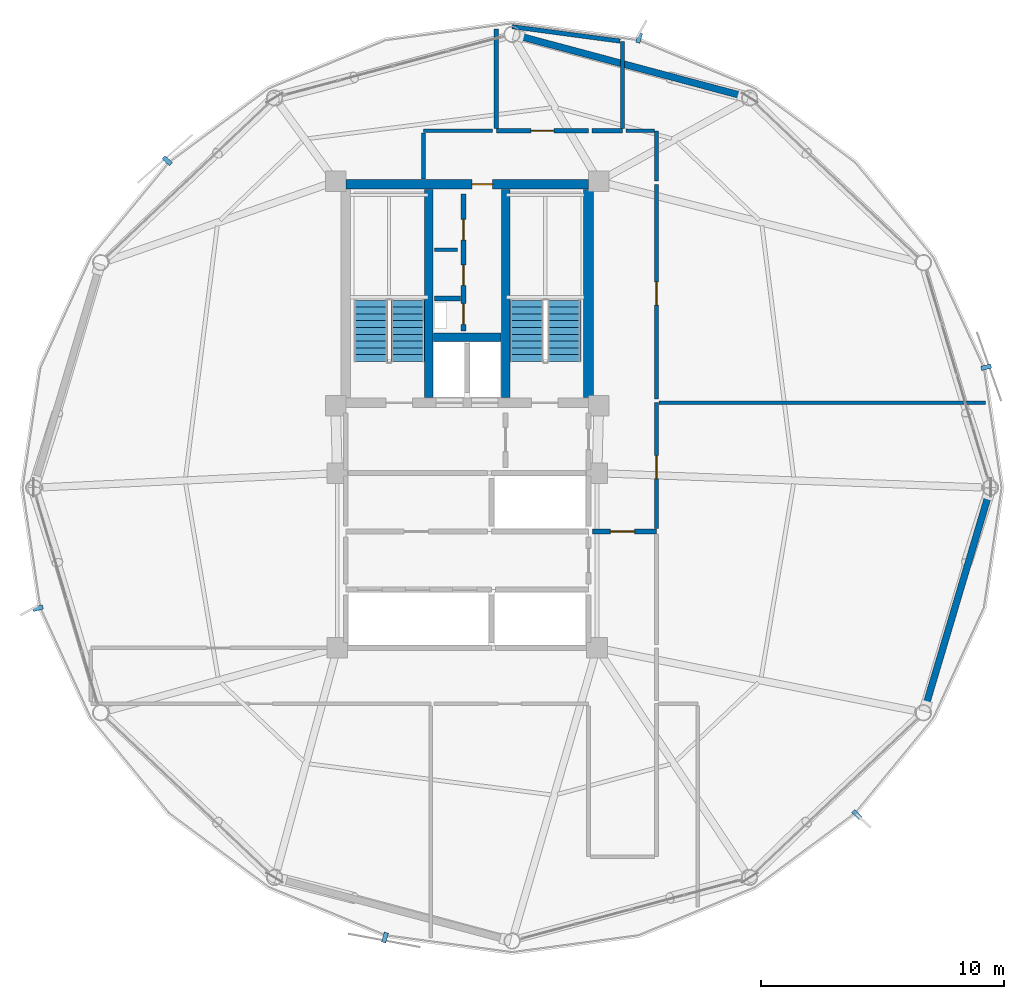
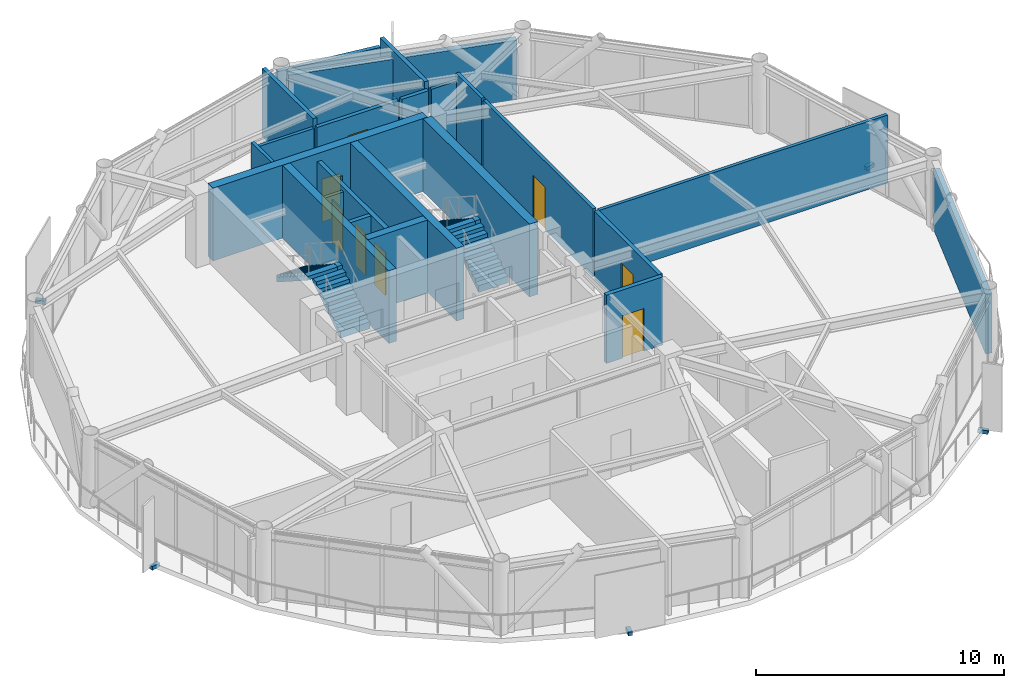
# One storey, part 25 of 29: 23 walls, 8 doors, 6 discrete accessories, 4 stair flights, 8 openings, 2 elements without a shape of their own.
"""IFC4 building model written with IfcOpenShell, lengths in metres."""

import ifcopenshell
import ifcopenshell.guid

model = None  # the IFC model being written
_history = None  # IfcOwnerHistory: only IFC2X3 demands one
_inside = {}  # id of a spatial element -> (the spatial element, [elements in it])
_under = {}  # id of a project, library or spatial element -> (it, [spatial elements below it])
_declared = {}  # id of a project -> (the project, [libraries it declares])
_typed = {}  # id of a type object -> (the type object, [elements of that type])
_made_of = {}  # id of a material, layer set ... -> (it, [elements and type objects made of it])


def new_model(schema):
    """Start an empty IFC model of exactly this schema.

    Asked for "IFC4X3", IfcOpenShell would pick the latest addendum, in which some entities
    have other attributes; the version numbers below select the first issue.
    IFC2X3 requires an IfcOwnerHistory on every rooted entity: one is made here for all.
    """
    global model, _history
    if schema == "IFC4X3":
        model = ifcopenshell.file(schema_version=(4, 3, 0, 0))
    else:
        model = ifcopenshell.file(schema=schema)
    _inside.clear()
    _under.clear()
    _declared.clear()
    _typed.clear()
    _made_of.clear()
    _history = None
    if model.schema == "IFC2X3":
        org = make("IfcOrganization", Name="unknown")
        user = make(
            "IfcPersonAndOrganization",
            ThePerson=make("IfcPerson", FamilyName="unknown"),
            TheOrganization=org,
        )
        app = make(
            "IfcApplication",
            ApplicationDeveloper=org,
            Version="unknown",
            ApplicationFullName="unknown",
            ApplicationIdentifier="unknown",
        )
        _history = make(
            "IfcOwnerHistory",
            OwningUser=user,
            OwningApplication=app,
            ChangeAction="ADDED",
            CreationDate=0,
        )
    return model


def make(cls, **values):
    """One entity of the class cls with the attributes given. An attribute that is None is left unset."""
    return model.create_entity(
        cls, **{name: value for name, value in values.items() if value is not None}
    )


def rooted(cls, **values):
    """An entity with a GlobalId (a new one), such as an element, a storey or a relation."""
    return make(cls, GlobalId=ifcopenshell.guid.new(), OwnerHistory=_history, **values)


def si_unit(unit_type, name, prefix=None):
    """IfcSIUnit, for example si_unit("LENGTHUNIT", "METRE", prefix="MILLI")."""
    return make("IfcSIUnit", UnitType=unit_type, Prefix=prefix, Name=name)


def assignment(units):
    """IfcUnitAssignment: the units of a project."""
    return None if units is None else make("IfcUnitAssignment", Units=units)


def point(xyz):
    """IfcCartesianPoint."""
    return None if xyz is None else make("IfcCartesianPoint", Coordinates=xyz)


def direction(xyz):
    """IfcDirection."""
    return None if xyz is None else make("IfcDirection", DirectionRatios=xyz)


def frame(location, z_axis=None, x_axis=None):
    """IfcAxis2Placement3D, a coordinate frame: its origin and axes. An axis left out is left unset."""
    return make(
        "IfcAxis2Placement3D",
        Location=point(location),
        Axis=direction(z_axis),
        RefDirection=direction(x_axis),
    )


def frame_2d(location, x_axis=None):
    """IfcAxis2Placement2D, a coordinate frame in the plane: its origin and x axis."""
    return make(
        "IfcAxis2Placement2D", Location=point(location), RefDirection=direction(x_axis)
    )


def origin():
    """The frame at (0, 0, 0) with its axes left unset."""
    return frame((0.0, 0.0, 0.0))


def origin_2d():
    """The frame at (0, 0) in the plane with its x axis left unset."""
    return frame_2d((0.0, 0.0))


def place(relative_to, where):
    """IfcLocalPlacement: puts the frame where relative to a parent placement (None: the world)."""
    return make(
        "IfcLocalPlacement", PlacementRelTo=relative_to, RelativePlacement=where
    )


def context(
    kind, dimensions, precision=None, world=None, true_north=None, identifier=None
):
    """IfcGeometricRepresentationContext, for example the 3D "Model" context."""
    return make(
        "IfcGeometricRepresentationContext",
        ContextIdentifier=identifier,
        ContextType=kind,
        CoordinateSpaceDimension=dimensions,
        Precision=precision,
        WorldCoordinateSystem=world,
        TrueNorth=true_north,
    )


def subcontext(parent, identifier, kind, view, scale=None):
    """IfcGeometricRepresentationSubContext, for example "Body" below "Model"."""
    return make(
        "IfcGeometricRepresentationSubContext",
        ContextIdentifier=identifier,
        ContextType=kind,
        ParentContext=parent,
        TargetScale=scale,
        TargetView=view,
    )


def project(units=None, contexts=None):
    """IfcProject with its units and contexts."""
    return rooted(
        "IfcProject",
        Name="project",
        RepresentationContexts=contexts,
        UnitsInContext=assignment(units),
    )


def spatial(cls, under=None, at=None, **own):
    """A site, building, storey or space (cls), placed at a placement, below another one or the project."""
    s = rooted(cls, ObjectPlacement=at, **own)
    if under is not None:
        _under.setdefault(under.id(), (under, []))[1].append(s)
    return s


def polyline(points):
    """IfcPolyline through the points."""
    return make("IfcPolyline", Points=[point(p) for p in points])


def profile(cls, at=None, kind="AREA", **sizes):
    """A parametric profile (cls). Its sizes go by their IFC names, for example OverallWidth=200.0."""
    return make(cls, ProfileType=kind, Position=at, **sizes)


def rectangle(**sizes):
    """IfcRectangleProfileDef."""
    return profile("IfcRectangleProfileDef", **sizes)


def outline(outer, holes=None, kind="AREA"):
    """IfcArbitraryClosedProfileDef: a profile drawn as a closed curve; with holes, ...WithVoids."""
    if holes is None:
        return make("IfcArbitraryClosedProfileDef", ProfileType=kind, OuterCurve=outer)
    return make(
        "IfcArbitraryProfileDefWithVoids",
        ProfileType=kind,
        OuterCurve=outer,
        InnerCurves=holes,
    )


def extrude(swept, where, along, depth):
    """IfcExtrudedAreaSolid: the profile swept, set in the frame where, extruded along a direction by depth."""
    return make(
        "IfcExtrudedAreaSolid",
        SweptArea=swept,
        Position=where,
        ExtrudedDirection=direction(along),
        Depth=depth,
    )


def shape(context_of_items, identifier, shape_type, items):
    """IfcShapeRepresentation: the items that make up one representation, for example the "Body"."""
    return make(
        "IfcShapeRepresentation",
        ContextOfItems=context_of_items,
        RepresentationIdentifier=identifier,
        RepresentationType=shape_type,
        Items=items,
    )


def source(mapping_origin, context_of_items, identifier, shape_type, items):
    """IfcRepresentationMap: a shape defined once, which mapped items show again and again."""
    return make(
        "IfcRepresentationMap",
        MappingOrigin=mapping_origin,
        MappedRepresentation=shape(context_of_items, identifier, shape_type, items),
    )


def transform(
    local_origin,
    x_axis=None,
    y_axis=None,
    z_axis=None,
    scale=None,
    scale2=None,
    scale3=None,
    uniform=True,
):
    """IfcCartesianTransformationOperator3D, or its non-uniform kind. x_axis, y_axis, z_axis: its Axis1, 2, 3."""
    if uniform:
        return make(
            "IfcCartesianTransformationOperator3D",
            Axis1=direction(x_axis),
            Axis2=direction(y_axis),
            LocalOrigin=point(local_origin),
            Scale=scale,
            Axis3=direction(z_axis),
        )
    return make(
        "IfcCartesianTransformationOperator3DnonUniform",
        Axis1=direction(x_axis),
        Axis2=direction(y_axis),
        LocalOrigin=point(local_origin),
        Scale=scale,
        Axis3=direction(z_axis),
        Scale2=scale2,
        Scale3=scale3,
    )


def mapped(mapping_source, mapping_target):
    """IfcMappedItem: shows the shape of a source again, moved by a transform."""
    return make(
        "IfcMappedItem", MappingSource=mapping_source, MappingTarget=mapping_target
    )


def material(Name=None, Category=None):
    """IfcMaterial."""
    return make("IfcMaterial", Name=Name, Category=Category)


def layer(
    of_material, thickness, ventilated=None, Name=None, Category=None, Priority=None
):
    """IfcMaterialLayer: one layer of a wall or slab, of a material (None: an air gap)."""
    return make(
        "IfcMaterialLayer",
        Material=of_material,
        LayerThickness=thickness,
        IsVentilated=ventilated,
        Name=Name,
        Category=Category,
        Priority=Priority,
    )


def layer_set(layers, Name=None):
    """IfcMaterialLayerSet."""
    return make("IfcMaterialLayerSet", MaterialLayers=layers, LayerSetName=Name)


def made_of(thing, what):
    """Note that an element or type object is made of a material, layer set ...; save() writes the relation."""
    if what is not None:
        _made_of.setdefault(what.id(), (what, []))[1].append(thing)
    return thing


def type_object(cls, material=None, **own):
    """A type object (cls), such as IfcWallType, which elements share."""
    return made_of(rooted(cls, **own), material)


def type_shapes(of_type, sources):
    """Give a type object the sources (RepresentationMaps) that its elements show as mapped items."""
    of_type.RepresentationMaps = sources


def element(
    cls,
    number,
    at=None,
    inside=None,
    cuts=None,
    type_object=None,
    material=None,
    context=None,
    identifier="Body",
    shape_type=None,
    held_by="IfcProductDefinitionShape",
    body=None,
    shapes=None,
    **own,
):
    """One element of the class cls, such as IfcWall. Its Tag is "e" and its number.

    at: its placement. inside: the storey or other place that contains it. cuts: it is an
    opening in that element (IfcRelVoidsElement). A single representation is given by context,
    identifier, shape_type and body (its items); several are given by shapes. held_by: the class
    of the entity that holds the representations. save() writes the other relations.
    """
    e = rooted(cls, Tag="e%d" % number, ObjectPlacement=at, **own)
    if body is not None:
        shapes = [shape(context, identifier, shape_type, body)]
    if shapes is not None:
        e.Representation = make(held_by, Representations=shapes)
    if inside is not None:
        _inside.setdefault(inside.id(), (inside, []))[1].append(e)
    if cuts is not None:
        rooted(
            "IfcRelVoidsElement", RelatingBuildingElement=cuts, RelatedOpeningElement=e
        )
    if type_object is not None:
        _typed.setdefault(type_object.id(), (type_object, []))[1].append(e)
    return made_of(e, material)


def fill(opening, filler):
    """IfcRelFillsElement: the door or window that sits in an opening."""
    return rooted(
        "IfcRelFillsElement",
        RelatingOpeningElement=opening,
        RelatedBuildingElement=filler,
    )


def aggregate(whole, parts):
    """IfcRelAggregates: a whole, such as a stair, and the parts it consists of."""
    return rooted("IfcRelAggregates", RelatingObject=whole, RelatedObjects=parts)


def save(model, path):
    """Write the relations noted so far, then the file.

    IfcRelAggregates (storeys below a building ...), IfcRelContainedInSpatialStructure (elements
    in a storey), IfcRelDefinesByType, IfcRelAssociatesMaterial and IfcRelDeclares: one each for
    every whole, place, type object, material and project.
    """
    for whole, parts in _under.values():
        aggregate(whole, parts)
    for where, things in _inside.values():
        rooted(
            "IfcRelContainedInSpatialStructure",
            RelatedElements=things,
            RelatingStructure=where,
        )
    for kind, things in _typed.values():
        rooted("IfcRelDefinesByType", RelatedObjects=things, RelatingType=kind)
    for what, things in _made_of.values():
        rooted("IfcRelAssociatesMaterial", RelatedObjects=things, RelatingMaterial=what)
    for by, libraries in _declared.values():
        rooted("IfcRelDeclares", RelatingContext=by, RelatedDefinitions=libraries)
    model.write(path)


model = new_model("IFC4")

# Units and contexts
model_context = context("Model", 3, precision=1e-05, world=origin(), true_north=direction((0.0, 1.0)))
body_context = subcontext(model_context, "Body", "Model", "MODEL_VIEW")
ifc_project = project(units=[si_unit("LENGTHUNIT", "METRE"), si_unit("AREAUNIT", "SQUARE_METRE"), si_unit("VOLUMEUNIT", "CUBIC_METRE"), si_unit("PLANEANGLEUNIT", "RADIAN"), si_unit("MASSUNIT", "GRAM", prefix="KILO")], contexts=[model_context])

# Site, building, storey
site_placement = place(None, origin())
site = spatial("IfcSite", under=ifc_project, at=site_placement, CompositionType="ELEMENT")
building_placement = place(site_placement, origin())
building = spatial("IfcBuilding", under=site, at=building_placement, Name="Varnakorn Sky Granary", CompositionType="ELEMENT")
storey_placement = place(building_placement, frame((0.0, 0.0, 182.39990234375)))
storey = spatial("IfcBuildingStorey", under=building, at=storey_placement, Name="L45", CompositionType="ELEMENT", Elevation=182.39990234375)

# Walls
ifc_material_1 = material(Name="Concrete C50/60", Category="concrete")
ifc_layer_1 = layer(ifc_material_1, 0.35009765625, Name="Concrete C50/60")
ifc_layer_set_1 = layer_set([ifc_layer_1], Name="Concrete C50/60")
wall_type_1 = type_object("IfcWallType", Name="WT-CW-INT-350", PredefinedType="SHEAR", material=ifc_layer_set_1)
for number, where, z_axis, x_axis, name in (
    (1, (1.419921875, 3.7099609375, 0.0), (0.0, 0.0, 1.0), (0.0, 1.0, 0.0), "Stair ST-1 Core Wall L45"),
    (2, (4.580078125, 3.7099609375, 0.0), (0.0, 0.0, 1.0), (0.0, 1.0, 0.0), "Stair ST-2 Core Wall L45"),
):
    element("IfcWall", number, at=place(storey_placement, frame(where, z_axis=z_axis, x_axis=x_axis)), inside=storey, type_object=wall_type_1, Name=name, PredefinedType="SHEAR", context=body_context, shape_type="SweptSolid", body=[
        extrude(rectangle(XDim=8.580078125, YDim=0.35009765625, at=frame_2d((4.2900390625, 0.0))), origin(), (0.0, 0.0, 1.0), 3.592041015625),
    ])
wall_1_placement = place(storey_placement, frame((1.610107421875, 6.199951171875, 0.0), z_axis=(0.0, 0.0, 1.0), x_axis=(1.0, 0.0, 0.0)))
element("IfcWall", 3, at=wall_1_placement, inside=storey, type_object=wall_type_1, Name="Core Lift Shaft Cross Wall L45", PredefinedType="SHEAR", context=body_context, shape_type="SweptSolid", body=[
    extrude(rectangle(XDim=2.77978515625, YDim=0.35009765625, at=frame_2d((1.389892578125, 0.0))), origin(), (0.0, 0.0, 1.0), 3.592041015625),
])

# Wall, opening, door
ifc_layer_2 = layer(ifc_material_1, 0.39990234375, Name="Concrete C50/60")
ifc_layer_set_2 = layer_set([ifc_layer_2], Name="Concrete C50/60")
wall_type_2 = type_object("IfcWallType", Name="WT-CW-SHEAR-400", PredefinedType="SHEAR", material=ifc_layer_set_2)
wall_2_placement = place(storey_placement, frame((-2.0, 12.5, 0.0), z_axis=(0.0, 0.0, 1.0), x_axis=(1.0, 0.0, 0.0)))
wall_2 = element("IfcWall", 4, at=wall_2_placement, inside=storey, type_object=wall_type_2, Name="Core North Shear Wall L45", PredefinedType="SHEAR", context=body_context, shape_type="SweptSolid", body=[
    extrude(rectangle(XDim=10.0, YDim=0.39990234375, at=frame_2d((5.0, 0.0))), origin(), (0.0, 0.0, 1.0), 3.592041015625),
])
opening_1_placement = place(wall_2_placement, frame((5.199951171875, 0.0, 0.0)))
opening_1 = element("IfcOpeningElement", 5, at=opening_1_placement, cuts=wall_2, Name="Opening FD-60N", PredefinedType="OPENING", context=body_context, shape_type="SweptSolid", body=[
    extrude(rectangle(XDim=0.85009765625, YDim=2.10009765625, at=frame_2d((0.425048828125, 1.050048828125))), frame((0.0, 0.2099609375, 0.0), z_axis=(0.0, -1.0, 0.0), x_axis=(1.0, 0.0, 0.0)), (0.0, 0.0, 1.0), 0.419921875),
])
ifc_material_2 = material(Name="Acoustic Timber Fire Leaf", Category="wood")
door_type_1 = type_object("IfcDoorType", Name="DR-FD60-850", OperationType="NOTDEFINED", PredefinedType="DOOR", material=ifc_material_2)
door_1_placement = place(opening_1_placement, origin())
door_1 = element("IfcDoor", 6, at=door_1_placement, inside=storey, type_object=door_type_1, Name="Core North Service Door L45", OperationType="SINGLE_SWING_LEFT", OverallHeight=2.10009765625, OverallWidth=0.85009765625, PredefinedType="DOOR", context=body_context, shape_type="SweptSolid", body=[
    extrude(rectangle(XDim=0.85009765625, YDim=2.10009765625, at=frame_2d((0.425048828125, 1.050048828125))), frame((0.0, 0.02490234375, 0.0), z_axis=(0.0, -1.0, 0.0), x_axis=(1.0, 0.0, 0.0)), (0.0, 0.0, 1.0), 0.050048828125),
])
fill(opening_1, door_1)

# Walls
wall_3_placement = place(storey_placement, frame((8.0, 3.7099609375, 0.0), z_axis=(0.0, 0.0, 1.0), x_axis=(0.0, 1.0, 0.0)))
element("IfcWall", 7, at=wall_3_placement, inside=storey, type_object=wall_type_2, Name="Core East Shear Wall L45", PredefinedType="SHEAR", context=body_context, shape_type="SweptSolid", body=[
    extrude(rectangle(XDim=8.580078125, YDim=0.39990234375, at=frame_2d((4.2900390625, 0.0))), origin(), (0.0, 0.0, 1.0), 3.592041015625),
])
ifc_material_3 = material(Name="Precast concrete C40/50", Category="concrete")
ifc_layer_3 = layer(ifc_material_3, 0.280029296875, Name="Precast concrete C40/50")
ifc_layer_set_3 = layer_set([ifc_layer_3], Name="Precast concrete C40/50")
wall_type_3 = type_object("IfcWallType", Name="WT-EW-CRN-280", PredefinedType="SOLIDWALL", material=ifc_layer_set_3)
wall_4_placement = place(storey_placement, frame((5.125244140625, 18.6083984375, 0.0), z_axis=(0.0, 0.0, 1.0), x_axis=(0.966012158322, -0.258496634359, 0.0)))
element("IfcWall", 8, at=wall_4_placement, inside=storey, type_object=wall_type_3, Name="Agritech Insulated Precast Facade Wall L45-P03", PredefinedType="SOLIDWALL", context=body_context, shape_type="SweptSolid", body=[
    extrude(rectangle(XDim=9.564697265625, YDim=0.280029296875, at=frame_2d((4.7822265625, 0.0))), origin(), (0.0, 0.0, 1.0), 2.93017578125),
])
wall_5_placement = place(storey_placement, frame((24.48388671875, -0.273193359375, 0.0), z_axis=(0.0, 0.0, 1.0), x_axis=(-0.285113422952, -0.958493785088, 0.0)))
element("IfcWall", 9, at=wall_5_placement, inside=storey, type_object=wall_type_3, Name="Agritech Insulated Precast Facade Wall L45-P12", PredefinedType="SOLIDWALL", context=body_context, shape_type="SweptSolid", body=[
    extrude(rectangle(XDim=9.10498046875, YDim=0.280029296875, at=frame_2d((4.552490234375, 0.0))), origin(), (0.0, 0.0, 1.0), 2.93017578125),
])

# Wall, openings, doors
ifc_material_4 = material(Name="Autoclaved Aerated Concrete Blockwork", Category="masonry")
ifc_layer_4 = layer(ifc_material_4, 0.199951171875, Name="Autoclaved Aerated Concrete Blockwork")
ifc_layer_set_4 = layer_set([ifc_layer_4], Name="Autoclaved Aerated Concrete Blockwork")
wall_type_4 = type_object("IfcWallType", Name="WT-FIRE-200", PredefinedType="MOVABLE", material=ifc_layer_set_4)
wall_6_placement = place(storey_placement, frame((2.85009765625, 6.449951171875, 0.0), z_axis=(0.0, 0.0, 1.0), x_axis=(0.0, 1.0, 0.0)))
wall_6 = element("IfcWall", 10, at=wall_6_placement, inside=storey, type_object=wall_type_4, Name="Interior Partition Wall L45-014", PredefinedType="MOVABLE", context=body_context, shape_type="SweptSolid", body=[
    extrude(rectangle(XDim=5.650146484375, YDim=0.199951171875, at=frame_2d((2.8251953125, 0.0))), origin(), (0.0, 0.0, 1.0), 3.360107421875),
])
opening_2_placement = place(wall_6_placement, frame((1.8798828125, 0.0, 0.0)))
opening_2 = element("IfcOpeningElement", 11, at=opening_2_placement, cuts=wall_6, Name="Opening RD-85", PredefinedType="OPENING", context=body_context, shape_type="SweptSolid", body=[
    extrude(rectangle(XDim=0.85009765625, YDim=2.050048828125, at=frame_2d((0.425048828125, 1.02490234375))), frame((0.0, 0.10986328125, 0.0), z_axis=(0.0, -1.0, 0.0), x_axis=(1.0, 0.0, 0.0)), (0.0, 0.0, 1.0), 0.219970703125),
])
opening_3_placement = place(wall_6_placement, frame((3.75, 0.0, 0.0)))
opening_3 = element("IfcOpeningElement", 12, at=opening_3_placement, cuts=wall_6, Name="Opening FD-60N", PredefinedType="OPENING", context=body_context, shape_type="SweptSolid", body=[
    extrude(rectangle(XDim=0.85009765625, YDim=2.10009765625, at=frame_2d((0.425048828125, 1.050048828125))), frame((0.0, 0.10986328125, 0.0), z_axis=(0.0, -1.0, 0.0), x_axis=(1.0, 0.0, 0.0)), (0.0, 0.0, 1.0), 0.219970703125),
])
opening_4_placement = place(wall_6_placement, frame((0.280029296875, 0.0, 0.0)))
opening_4 = element("IfcOpeningElement", 13, at=opening_4_placement, cuts=wall_6, Name="Opening FD-60N", PredefinedType="OPENING", context=body_context, shape_type="SweptSolid", body=[
    extrude(rectangle(XDim=0.85009765625, YDim=2.10009765625, at=frame_2d((0.425048828125, 1.050048828125))), frame((0.0, 0.10986328125, 0.0), z_axis=(0.0, -1.0, 0.0), x_axis=(1.0, 0.0, 0.0)), (0.0, 0.0, 1.0), 0.219970703125),
])
door_2_placement = place(opening_3_placement, origin())
door_2 = element("IfcDoor", 14, at=door_2_placement, inside=storey, type_object=door_type_1, Name="Interior Door L45-014-2", OperationType="SINGLE_SWING_LEFT", OverallHeight=2.10009765625, OverallWidth=0.85009765625, PredefinedType="DOOR", context=body_context, shape_type="SweptSolid", body=[
    extrude(rectangle(XDim=0.85009765625, YDim=2.10009765625, at=frame_2d((0.425048828125, 1.050048828125))), frame((0.0, 0.02490234375, 0.0), z_axis=(0.0, -1.0, 0.0), x_axis=(1.0, 0.0, 0.0)), (0.0, 0.0, 1.0), 0.050048828125),
])
fill(opening_3, door_2)
door_3_placement = place(opening_4_placement, origin())
door_3 = element("IfcDoor", 15, at=door_3_placement, inside=storey, type_object=door_type_1, Name="Interior Door L45-014-3", OperationType="SINGLE_SWING_RIGHT", OverallHeight=2.10009765625, OverallWidth=0.85009765625, PredefinedType="DOOR", context=body_context, shape_type="SweptSolid", body=[
    extrude(rectangle(XDim=0.85009765625, YDim=2.10009765625, at=frame_2d((0.425048828125, 1.050048828125))), frame((0.0, 0.02490234375, 0.0), z_axis=(0.0, -1.0, 0.0), x_axis=(1.0, 0.0, 0.0)), (0.0, 0.0, 1.0), 0.050048828125),
])
fill(opening_4, door_3)
ifc_material_5 = material(Name="Galvanised Painted Steel Leaf", Category="steel")
door_type_2 = type_object("IfcDoorType", Name="DR-RIS-850", OperationType="NOTDEFINED", PredefinedType="DOOR", material=ifc_material_5)
door_4_placement = place(opening_2_placement, origin())
door_4 = element("IfcDoor", 16, at=door_4_placement, inside=storey, type_object=door_type_2, Name="MEP Riser Shaft Access Door L45-014-1", OperationType="SINGLE_SWING_RIGHT", OverallHeight=2.050048828125, OverallWidth=0.85009765625, PredefinedType="DOOR", context=body_context, shape_type="SweptSolid", body=[
    extrude(rectangle(XDim=0.85009765625, YDim=2.050048828125, at=frame_2d((0.425048828125, 1.02490234375))), frame((0.0, 0.02490234375, 0.0), z_axis=(0.0, -1.0, 0.0), x_axis=(1.0, 0.0, 0.0)), (0.0, 0.0, 1.0), 0.050048828125),
])
fill(opening_2, door_4)

# Wall, opening, door
wall_7_placement = place(storey_placement, frame((8.159912109375, -1.800048828125, 0.0), z_axis=(0.0, 0.0, 1.0), x_axis=(1.0, 0.0, 0.0)))
wall_7 = element("IfcWall", 17, at=wall_7_placement, inside=storey, type_object=wall_type_4, Name="Interior Partition Wall L45-019", PredefinedType="MOVABLE", context=body_context, shape_type="SweptSolid", body=[
    extrude(rectangle(XDim=2.64013671875, YDim=0.199951171875, at=frame_2d((1.320068359375, 0.0))), origin(), (0.0, 0.0, 1.0), 3.360107421875),
])
opening_5_placement = place(wall_7_placement, frame((0.739990234375, 0.0, 0.0)))
opening_5 = element("IfcOpeningElement", 18, at=opening_5_placement, cuts=wall_7, Name="Opening FD-60", PredefinedType="OPENING", context=body_context, shape_type="SweptSolid", body=[
    extrude(rectangle(XDim=1.0, YDim=2.10009765625, at=frame_2d((0.5, 1.050048828125))), frame((0.0, 0.10986328125, 0.0), z_axis=(0.0, -1.0, 0.0), x_axis=(1.0, 0.0, 0.0)), (0.0, 0.0, 1.0), 0.219970703125),
])
door_type_3 = type_object("IfcDoorType", Name="DR-FD60-1000", OperationType="NOTDEFINED", PredefinedType="DOOR", material=ifc_material_2)
door_5_placement = place(opening_5_placement, origin())
door_5 = element("IfcDoor", 19, at=door_5_placement, inside=storey, type_object=door_type_3, Name="Interior Door L45-019-1", OperationType="SINGLE_SWING_LEFT", OverallHeight=2.10009765625, OverallWidth=1.0, PredefinedType="DOOR", context=body_context, shape_type="SweptSolid", body=[
    extrude(rectangle(XDim=1.0, YDim=2.10009765625, at=frame_2d((0.5, 1.050048828125))), frame((0.0, 0.02490234375, 0.0), z_axis=(0.0, -1.0, 0.0), x_axis=(1.0, 0.0, 0.0)), (0.0, 0.0, 1.0), 0.050048828125),
])
fill(opening_5, door_5)

ifc_material_6 = material(Name="Gypsum Plasterboard on Steel Stud", Category="steel")
ifc_layer_5 = layer(ifc_material_6, 0.14990234375, Name="Gypsum Plasterboard on Steel Stud")
ifc_layer_set_5 = layer_set([ifc_layer_5], Name="Gypsum Plasterboard on Steel Stud")
wall_type_5 = type_object("IfcWallType", Name="WT-PART-150", PredefinedType="PARTITIONING", material=ifc_layer_set_5)
wall_8_placement = place(storey_placement, frame((10.800048828125, 3.64990234375, 0.0), z_axis=(0.0, 0.0, 1.0), x_axis=(0.0, 1.0, 0.0)))
wall_8 = element("IfcWall", 20, at=wall_8_placement, inside=storey, type_object=wall_type_5, Name="Interior Partition Wall L45-025", PredefinedType="PARTITIONING", context=body_context, shape_type="SweptSolid", body=[
    extrude(rectangle(XDim=8.85009765625, YDim=0.14990234375, at=frame_2d((4.425048828125, 0.0))), origin(), (0.0, 0.0, 1.0), 3.360107421875),
])
opening_6_placement = place(wall_8_placement, frame((3.875, 0.0, 0.0)))
opening_6 = element("IfcOpeningElement", 21, at=opening_6_placement, cuts=wall_8, Name="Opening ID-95", PredefinedType="OPENING", context=body_context, shape_type="SweptSolid", body=[
    extrude(rectangle(XDim=0.949951171875, YDim=2.10009765625, at=frame_2d((0.47509765625, 1.050048828125))), frame((0.0, 0.0849609375, 0.0), z_axis=(0.0, -1.0, 0.0), x_axis=(1.0, 0.0, 0.0)), (0.0, 0.0, 1.0), 0.169921875),
])
ifc_material_7 = material(Name="Solid-Core Teak Veneer Leaf", Category="timber")
door_type_4 = type_object("IfcDoorType", Name="DR-INT-950", OperationType="NOTDEFINED", PredefinedType="DOOR", material=ifc_material_7)
door_6_placement = place(opening_6_placement, origin())
door_6 = element("IfcDoor", 22, at=door_6_placement, inside=storey, type_object=door_type_4, Name="Interior Door L45-025-1", OperationType="SINGLE_SWING_LEFT", OverallHeight=2.10009765625, OverallWidth=0.949951171875, PredefinedType="DOOR", context=body_context, shape_type="SweptSolid", body=[
    extrude(rectangle(XDim=0.949951171875, YDim=2.10009765625, at=frame_2d((0.47509765625, 1.050048828125))), frame((0.0, 0.02490234375, 0.0), z_axis=(0.0, -1.0, 0.0), x_axis=(1.0, 0.0, 0.0)), (0.0, 0.0, 1.0), 0.050048828125),
])
fill(opening_6, door_6)

# Walls
wall_9_placement = place(storey_placement, frame((1.64990234375, 9.800048828125, 0.0), z_axis=(0.0, 0.0, 1.0), x_axis=(1.0, 0.0, 0.0)))
element("IfcWall", 23, at=wall_9_placement, inside=storey, type_object=wall_type_5, Name="Interior Partition Wall L45-026", PredefinedType="PARTITIONING", context=body_context, shape_type="SweptSolid", body=[
    extrude(rectangle(XDim=0.960205078125, YDim=0.14990234375, at=frame_2d((0.47998046875, 0.0))), origin(), (0.0, 0.0, 1.0), 3.360107421875),
])
wall_10_placement = place(storey_placement, frame((4.050048828125, 14.699951171875, 0.0), z_axis=(0.0, 0.0, 1.0), x_axis=(-1.0, 0.0, 0.0)))
element("IfcWall", 24, at=wall_10_placement, inside=storey, type_object=wall_type_5, Name="Interior Partition Wall L45-039", PredefinedType="PARTITIONING", context=body_context, shape_type="SweptSolid", body=[
    extrude(rectangle(XDim=2.85009765625, YDim=0.14990234375, at=frame_2d((1.425048828125, 0.0))), origin(), (0.0, 0.0, 1.0), 3.01220703125),
])
wall_11_placement = place(storey_placement, frame((1.199951171875, 14.614990234375, 0.0), z_axis=(0.0, 0.0, 1.0), x_axis=(0.0, -1.0, 0.0)))
element("IfcWall", 25, at=wall_11_placement, inside=storey, type_object=wall_type_5, Name="Interior Partition Wall L45-040", PredefinedType="PARTITIONING", context=body_context, shape_type="SweptSolid", body=[
    extrude(rectangle(XDim=1.905029296875, YDim=0.14990234375, at=frame_2d((0.95263671875, 0.0))), origin(), (0.0, 0.0, 1.0), 3.360107421875),
])
wall_12_placement = place(storey_placement, frame((10.89990234375, 3.5, 0.0), z_axis=(0.0, 0.0, 1.0), x_axis=(1.0, 0.0, 0.0)))
element("IfcWall", 26, at=wall_12_placement, inside=storey, type_object=wall_type_5, Name="Interior Partition Wall L45-044", PredefinedType="PARTITIONING", context=body_context, shape_type="SweptSolid", body=[
    extrude(rectangle(XDim=13.45703125, YDim=0.14990234375, at=frame_2d((6.728515625, 0.0))), origin(), (0.0, 0.0, 1.0), 3.360107421875),
])
wall_13_placement = place(storey_placement, frame((10.800048828125, 12.635009765625, 0.0), z_axis=(0.0, 0.0, 1.0), x_axis=(0.0, 1.0, 0.0)))
element("IfcWall", 27, at=wall_13_placement, inside=storey, type_object=wall_type_5, Name="Interior Partition Wall L45-045", PredefinedType="PARTITIONING", context=body_context, shape_type="SweptSolid", body=[
    extrude(rectangle(XDim=2.06494140625, YDim=0.14990234375, at=frame_2d((1.032470703125, 0.0))), origin(), (0.0, 0.0, 1.0), 3.360107421875),
])
wall_14_placement = place(storey_placement, frame((10.715087890625, 14.699951171875, 0.0), z_axis=(0.0, 0.0, 1.0), x_axis=(-1.0, 0.0, 0.0)))
element("IfcWall", 28, at=wall_14_placement, inside=storey, type_object=wall_type_5, Name="Interior Partition Wall L45-046", PredefinedType="PARTITIONING", context=body_context, shape_type="SweptSolid", body=[
    extrude(rectangle(XDim=1.1650390625, YDim=0.14990234375, at=frame_2d((0.58251953125, 0.0))), origin(), (0.0, 0.0, 1.0), 3.01220703125),
])

# Wall, opening, door
ifc_material_8 = material(Name="Moisture-Resistant Gypsum on Stud", Category="gypsum")
ifc_layer_6 = layer(ifc_material_8, 0.179931640625, Name="Moisture-Resistant Gypsum on Stud")
ifc_layer_set_6 = layer_set([ifc_layer_6], Name="Moisture-Resistant Gypsum on Stud")
wall_type_6 = type_object("IfcWallType", Name="WT-PLUMB-180", PredefinedType="PLUMBINGWALL", material=ifc_layer_set_6)
wall_15_placement = place(storey_placement, frame((8.0, 14.699951171875, 0.0), z_axis=(0.0, 0.0, 1.0), x_axis=(-1.0, 0.0, 0.0)))
wall_15 = element("IfcWall", 29, at=wall_15_placement, inside=storey, type_object=wall_type_6, Name="Interior Partition Wall L45-020", PredefinedType="PLUMBINGWALL", context=body_context, shape_type="SweptSolid", body=[
    extrude(rectangle(XDim=3.800048828125, YDim=0.179931640625, at=frame_2d((1.89990234375, 0.0))), origin(), (0.0, 0.0, 1.0), 3.01220703125),
])
opening_7_placement = place(wall_15_placement, frame((1.425048828125, 0.0, 0.0)))
opening_7 = element("IfcOpeningElement", 30, at=opening_7_placement, cuts=wall_15, Name="Opening ID-95", PredefinedType="OPENING", context=body_context, shape_type="SweptSolid", body=[
    extrude(rectangle(XDim=0.949951171875, YDim=2.10009765625, at=frame_2d((0.47509765625, 1.050048828125))), frame((0.0, 0.10009765625, 0.0), z_axis=(0.0, -1.0, 0.0), x_axis=(1.0, 0.0, 0.0)), (0.0, 0.0, 1.0), 0.199951171875),
])
door_7_placement = place(opening_7_placement, origin())
door_7 = element("IfcDoor", 31, at=door_7_placement, inside=storey, type_object=door_type_4, Name="Interior Door L45-020-1", OperationType="SINGLE_SWING_RIGHT", OverallHeight=2.10009765625, OverallWidth=0.949951171875, PredefinedType="DOOR", context=body_context, shape_type="SweptSolid", body=[
    extrude(rectangle(XDim=0.949951171875, YDim=2.10009765625, at=frame_2d((0.47509765625, 1.050048828125))), frame((0.0, 0.02490234375, 0.0), z_axis=(0.0, -1.0, 0.0), x_axis=(1.0, 0.0, 0.0)), (0.0, 0.0, 1.0), 0.050048828125),
])
fill(opening_7, door_7)

wall_16_placement = place(storey_placement, frame((10.800048828125, -1.68994140625, 0.0), z_axis=(0.0, 0.0, 1.0), x_axis=(0.0, 1.0, 0.0)))
wall_16 = element("IfcWall", 32, at=wall_16_placement, inside=storey, type_object=wall_type_6, Name="Interior Partition Wall L45-024", PredefinedType="PLUMBINGWALL", context=body_context, shape_type="SweptSolid", body=[
    extrude(rectangle(XDim=5.18994140625, YDim=0.179931640625, at=frame_2d((2.594970703125, 0.0))), origin(), (0.0, 0.0, 1.0), 3.360107421875),
])
opening_8_placement = place(wall_16_placement, frame((2.06494140625, 0.0, 0.0)))
opening_8 = element("IfcOpeningElement", 33, at=opening_8_placement, cuts=wall_16, Name="Opening ID-95", PredefinedType="OPENING", context=body_context, shape_type="SweptSolid", body=[
    extrude(rectangle(XDim=0.949951171875, YDim=2.10009765625, at=frame_2d((0.47509765625, 1.050048828125))), frame((0.0, 0.10009765625, 0.0), z_axis=(0.0, -1.0, 0.0), x_axis=(1.0, 0.0, 0.0)), (0.0, 0.0, 1.0), 0.199951171875),
])
door_8_placement = place(opening_8_placement, origin())
door_8 = element("IfcDoor", 34, at=door_8_placement, inside=storey, type_object=door_type_4, Name="Interior Door L45-024-1", OperationType="SINGLE_SWING_RIGHT", OverallHeight=2.10009765625, OverallWidth=0.949951171875, PredefinedType="DOOR", context=body_context, shape_type="SweptSolid", body=[
    extrude(rectangle(XDim=0.949951171875, YDim=2.10009765625, at=frame_2d((0.47509765625, 1.050048828125))), frame((0.0, 0.02490234375, 0.0), z_axis=(0.0, -1.0, 0.0), x_axis=(1.0, 0.0, 0.0)), (0.0, 0.0, 1.0), 0.050048828125),
])
fill(opening_8, door_8)

# Walls
wall_17_placement = place(storey_placement, frame((9.39990234375, 14.699951171875, 0.0), z_axis=(0.0, 0.0, 1.0), x_axis=(-1.0, 0.0, 0.0)))
element("IfcWall", 35, at=wall_17_placement, inside=storey, type_object=wall_type_6, Name="Interior Partition Wall L45-031", PredefinedType="PLUMBINGWALL", context=body_context, shape_type="SweptSolid", body=[
    extrude(rectangle(XDim=1.25, YDim=0.179931640625, at=frame_2d((0.625, 0.0))), origin(), (0.0, 0.0, 1.0), 3.01220703125),
])
wall_18_placement = place(storey_placement, frame((4.199951171875, 18.905029296875, 0.0), z_axis=(0.0, 0.0, 1.0), x_axis=(0.0, -1.0, 0.0)))
element("IfcWall", 36, at=wall_18_placement, inside=storey, type_object=wall_type_6, Name="Interior Partition Wall L45-041", PredefinedType="PLUMBINGWALL", context=body_context, shape_type="SweptSolid", body=[
    extrude(rectangle(XDim=4.10498046875, YDim=0.179931640625, at=frame_2d((2.052490234375, 0.0))), origin(), (0.0, 0.0, 1.0), 3.360107421875),
])
wall_19_placement = place(storey_placement, frame((9.39990234375, 14.800048828125, 0.0), z_axis=(0.0, 0.0, 1.0), x_axis=(0.0, 1.0, 0.0)))
element("IfcWall", 37, at=wall_19_placement, inside=storey, type_object=wall_type_6, Name="Interior Partition Wall L45-047", PredefinedType="PLUMBINGWALL", context=body_context, shape_type="SweptSolid", body=[
    extrude(rectangle(XDim=3.583984375, YDim=0.179931640625, at=frame_2d((1.7919921875, 0.0))), origin(), (0.0, 0.0, 1.0), 3.360107421875),
])
wall_20_placement = place(storey_placement, frame((9.301025390625, 18.39697265625, 0.0), z_axis=(0.0, 0.0, 1.0), x_axis=(-0.991183686161, 0.132494906652, 0.0)))
element("IfcWall", 38, at=wall_20_placement, inside=storey, type_object=wall_type_6, Name="Interior Partition Wall L45-048", PredefinedType="PLUMBINGWALL", context=body_context, shape_type="SweptSolid", body=[
    extrude(rectangle(XDim=4.490478515625, YDim=0.179931640625, at=frame_2d((2.2451171875, 0.0))), origin(), (0.0, 0.0, 1.0), 2.942138671875),
])
ifc_layer_7 = layer(ifc_material_4, 0.199951171875, Name="Autoclaved Aerated Concrete Blockwork")
ifc_layer_set_7 = layer_set([ifc_layer_7], Name="Autoclaved Aerated Concrete Blockwork")
wall_type_7 = type_object("IfcWallType", Name="WT-SHAFT-200", PredefinedType="SOLIDWALL", material=ifc_layer_set_7)
wall_21_placement = place(storey_placement, frame((1.64990234375, 7.800048828125, 0.0), z_axis=(0.0, 0.0, 1.0), x_axis=(1.0, 0.0, 0.0)))
element("IfcWall", 39, at=wall_21_placement, inside=storey, type_object=wall_type_7, Name="Interior Partition Wall L45-002", PredefinedType="SOLIDWALL", context=body_context, shape_type="SweptSolid", body=[
    extrude(rectangle(XDim=1.070068359375, YDim=0.199951171875, at=frame_2d((0.53515625, 0.0))), origin(), (0.0, 0.0, 1.0), 3.360107421875),
])

# Stair, stair flights
ifc_material_9 = material(Name="Concrete C40/50", Category="concrete")
stair_type = type_object("IfcStairType", Name="ST-MAIN-ASSEMBLY", PredefinedType="HALF_TURN_STAIR", material=ifc_material_9)
stair_1_placement = place(storey_placement, origin())
stair_1 = element("IfcStair", 40, at=stair_1_placement, inside=storey, type_object=stair_type, Name="L45 Protected Exit Stair ST-1", PredefinedType="HALF_TURN_STAIR")
stair_flight_type = type_object("IfcStairFlightType", Name="ST-MAIN-FLIGHT", PredefinedType="STRAIGHT", material=ifc_material_9)
stair_flight_1_placement = place(storey_placement, frame((0.550048828125, 5.199951171875, 0.0), z_axis=(0.0, 0.0, 1.0), x_axis=(0.0, 1.0, 0.0)))
stair_flight_1 = element("IfcStairFlight", 41, at=stair_flight_1_placement, type_object=stair_flight_type, Name="ST-1 flight 1", NumberOfRisers=10, NumberOfTreads=9, PredefinedType="STRAIGHT", RiserHeight=0.18, TreadLength=0.28, context=body_context, shape_type="SweptSolid", body=[
    extrude(outline(polyline([(0.0, -0.14990234375), (0.0, 0.0), (0.0, 0.179931640625), (0.280029296875, 0.179931640625), (0.280029296875, 0.360107421875), (0.56005859375, 0.360107421875), (0.56005859375, 0.5400390625), (0.840087890625, 0.5400390625), (0.840087890625, 0.719970703125), (1.1201171875, 0.719970703125), (1.1201171875, 0.89990234375), (1.39990234375, 0.89990234375), (1.39990234375, 1.080078125), (1.679931640625, 1.080078125), (1.679931640625, 1.260009765625), (1.9599609375, 1.260009765625), (1.9599609375, 1.43994140625), (2.239990234375, 1.43994140625), (2.239990234375, 1.6201171875), (2.52001953125, 1.6201171875), (2.52001953125, 1.800048828125), (2.52001953125, 1.44189453125), (0.050048828125, -0.14990234375), (0.0, -0.14990234375)])), frame((0.0, 0.68994140625, 0.0), z_axis=(0.0, -1.0, 0.0), x_axis=(1.0, 0.0, 0.0)), (0.0, 0.0, 1.0), 1.3798828125),
])
stair_flight_2_placement = place(storey_placement, frame((-0.97998046875, 7.719970703125, 1.800048828125), z_axis=(0.0, 0.0, 1.0), x_axis=(0.0, -1.0, 0.0)))
stair_flight_2 = element("IfcStairFlight", 42, at=stair_flight_2_placement, type_object=stair_flight_type, Name="ST-1 flight 2", NumberOfRisers=10, NumberOfTreads=9, PredefinedType="STRAIGHT", RiserHeight=0.18, TreadLength=0.28, context=body_context, shape_type="SweptSolid", body=[
    extrude(outline(polyline([(0.0, -0.14990234375), (0.0, 0.0), (0.0, 0.179931640625), (0.280029296875, 0.179931640625), (0.280029296875, 0.360107421875), (0.56005859375, 0.360107421875), (0.56005859375, 0.5400390625), (0.840087890625, 0.5400390625), (0.840087890625, 0.719970703125), (1.1201171875, 0.719970703125), (1.1201171875, 0.89990234375), (1.39990234375, 0.89990234375), (1.39990234375, 1.080078125), (1.679931640625, 1.080078125), (1.679931640625, 1.260009765625), (1.9599609375, 1.260009765625), (1.9599609375, 1.43994140625), (2.239990234375, 1.43994140625), (2.239990234375, 1.6201171875), (2.52001953125, 1.6201171875), (2.52001953125, 1.800048828125), (2.52001953125, 1.44189453125), (0.050048828125, -0.14990234375), (0.0, -0.14990234375)])), frame((0.0, 0.68994140625, 0.0), z_axis=(0.0, -1.0, 0.0), x_axis=(1.0, 0.0, 0.0)), (0.0, 0.0, 1.0), 1.3798828125),
])
aggregate(stair_1, [stair_flight_1, stair_flight_2])

stair_2_placement = place(storey_placement, origin())
stair_2 = element("IfcStair", 43, at=stair_2_placement, inside=storey, type_object=stair_type, Name="L45 Protected Exit Stair ST-2", PredefinedType="HALF_TURN_STAIR")
stair_flight_3_placement = place(storey_placement, frame((6.989990234375, 5.199951171875, 0.0), z_axis=(0.0, 0.0, 1.0), x_axis=(0.0, 1.0, 0.0)))
stair_flight_3 = element("IfcStairFlight", 44, at=stair_flight_3_placement, type_object=stair_flight_type, Name="ST-2 flight 1", NumberOfRisers=10, NumberOfTreads=9, PredefinedType="STRAIGHT", RiserHeight=0.18, TreadLength=0.28, context=body_context, shape_type="SweptSolid", body=[
    extrude(outline(polyline([(0.0, -0.14990234375), (0.0, 0.0), (0.0, 0.179931640625), (0.280029296875, 0.179931640625), (0.280029296875, 0.360107421875), (0.56005859375, 0.360107421875), (0.56005859375, 0.5400390625), (0.840087890625, 0.5400390625), (0.840087890625, 0.719970703125), (1.1201171875, 0.719970703125), (1.1201171875, 0.89990234375), (1.39990234375, 0.89990234375), (1.39990234375, 1.080078125), (1.679931640625, 1.080078125), (1.679931640625, 1.260009765625), (1.9599609375, 1.260009765625), (1.9599609375, 1.43994140625), (2.239990234375, 1.43994140625), (2.239990234375, 1.6201171875), (2.52001953125, 1.6201171875), (2.52001953125, 1.800048828125), (2.52001953125, 1.44189453125), (0.050048828125, -0.14990234375), (0.0, -0.14990234375)])), frame((0.0, 0.68994140625, 0.0), z_axis=(0.0, -1.0, 0.0), x_axis=(1.0, 0.0, 0.0)), (0.0, 0.0, 1.0), 1.3798828125),
])
stair_flight_4_placement = place(storey_placement, frame((5.4599609375, 7.719970703125, 1.800048828125), z_axis=(0.0, 0.0, 1.0), x_axis=(0.0, -1.0, 0.0)))
stair_flight_4 = element("IfcStairFlight", 45, at=stair_flight_4_placement, type_object=stair_flight_type, Name="ST-2 flight 2", NumberOfRisers=10, NumberOfTreads=9, PredefinedType="STRAIGHT", RiserHeight=0.18, TreadLength=0.28, context=body_context, shape_type="SweptSolid", body=[
    extrude(outline(polyline([(0.0, -0.14990234375), (0.0, 0.0), (0.0, 0.179931640625), (0.280029296875, 0.179931640625), (0.280029296875, 0.360107421875), (0.56005859375, 0.360107421875), (0.56005859375, 0.5400390625), (0.840087890625, 0.5400390625), (0.840087890625, 0.719970703125), (1.1201171875, 0.719970703125), (1.1201171875, 0.89990234375), (1.39990234375, 0.89990234375), (1.39990234375, 1.080078125), (1.679931640625, 1.080078125), (1.679931640625, 1.260009765625), (1.9599609375, 1.260009765625), (1.9599609375, 1.43994140625), (2.239990234375, 1.43994140625), (2.239990234375, 1.6201171875), (2.52001953125, 1.6201171875), (2.52001953125, 1.800048828125), (2.52001953125, 1.44189453125), (0.050048828125, -0.14990234375), (0.0, -0.14990234375)])), frame((0.0, 0.68994140625, 0.0), z_axis=(0.0, -1.0, 0.0), x_axis=(1.0, 0.0, 0.0)), (0.0, 0.0, 1.0), 1.3798828125),
])
aggregate(stair_2, [stair_flight_3, stair_flight_4])

# Discrete accessories
ifc_material_10 = material(Name="Steel S355JR", Category="steel")
discrete_accessory_type = type_object("IfcDiscreteAccessoryType", Name="AC-BRK-01", PredefinedType="BRACKET", material=ifc_material_10)
shared_shape = source(origin(), body_context, "Body", "SweptSolid", [
    extrude(rectangle(XDim=0.179931640625, YDim=0.419921875, at=origin_2d()), origin(), (0.0, 0.0, 1.0), 0.179931640625),
])
type_shapes(discrete_accessory_type, [shared_shape])
for number, where, z_axis, x_axis, name in (
    (46, (24.38134765625, 4.964599609375, -0.19970703125), (0.0, 0.0, 1.0), (-0.246345214811, 0.969182147555, 0.0), "Facade Solar-Screen Outrigger Bracket L45-01"),
    (47, (10.0849609375, 18.53271484375, -0.19970703125), (0.0, 0.0, 1.0), (-0.962344800688, 0.271831721087, 0.0), "Facade Solar-Screen Outrigger Bracket L45-03"),
    (48, (-9.3544921875, 13.469482421875, -0.19970703125), (0.0, 0.0, 1.0), (-0.688083743883, -0.725631284747, 0.0), "Facade Solar-Screen Outrigger Bracket L45-05"),
    (49, (-14.681396484375, -4.964599609375, -0.19970703125), (0.0, 0.0, 1.0), (0.246345214811, -0.969182147555, 0.0), "Facade Solar-Screen Outrigger Bracket L45-07"),
    (50, (-0.385009765625, -18.53271484375, -0.19970703125), (0.0, 0.0, 1.0), (0.962344800688, -0.271831721087, 0.0), "Facade Solar-Screen Outrigger Bracket L45-09"),
    (51, (19.054443359375, -13.469482421875, -0.19970703125), (0.0, 0.0, 1.0), (0.688083743883, 0.725631284747, 0.0), "Facade Solar-Screen Outrigger Bracket L45-11"),
):
    element("IfcDiscreteAccessory", number, at=place(storey_placement, frame(where, z_axis=z_axis, x_axis=x_axis)), inside=storey, type_object=discrete_accessory_type, Name=name, PredefinedType="BRACKET", context=body_context, shape_type="MappedRepresentation", body=[
        mapped(shared_shape, transform((0.0, 0.0, 0.0), x_axis=(1.0, 0.0, 0.0), y_axis=(0.0, 1.0, 0.0), z_axis=(0.0, 0.0, 1.0), scale=1.0)),
    ])

save(model, "model.ifc")
